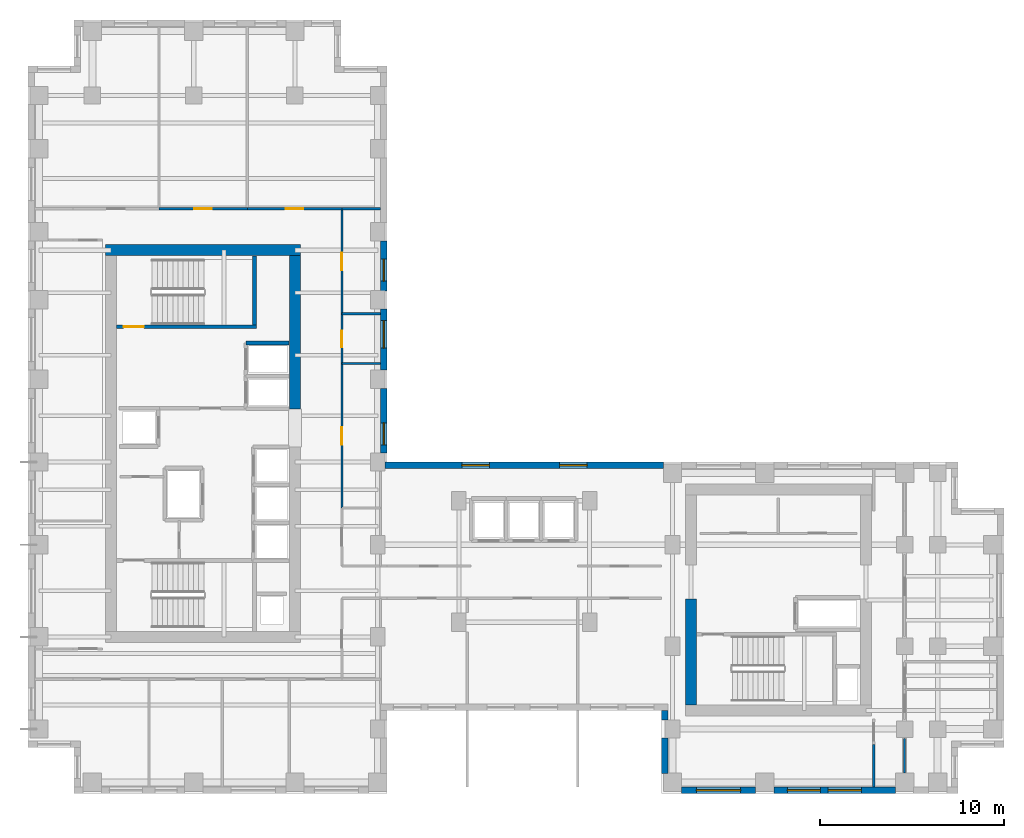
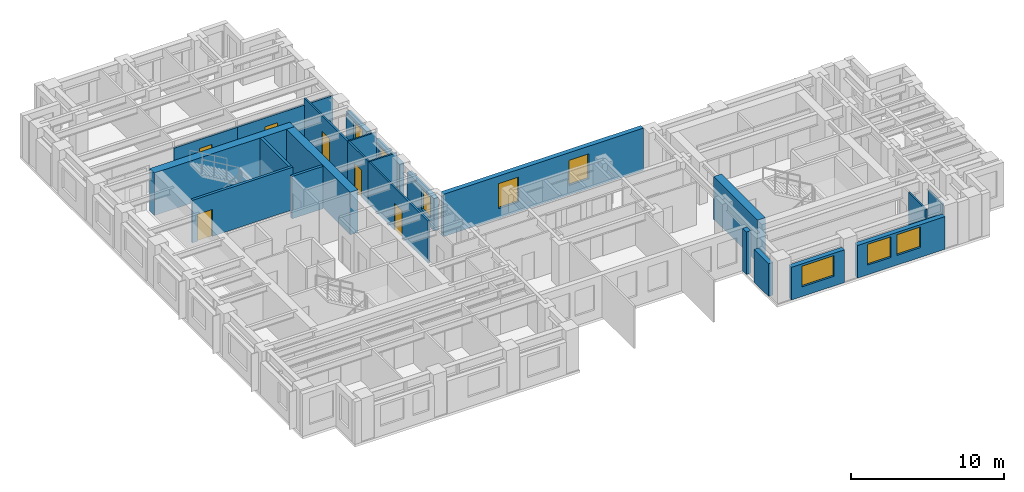
# One storey, part 6 of 11: 24 walls, 8 windows, 6 doors, 14 openings.
"""IFC4 building model written with IfcOpenShell, lengths in metres."""

from ifc_helpers import new_model, si_unit, direction, frame, frame_2d, origin, place, context, subcontext, project, spatial, rectangle, extrude, source, transform, mapped, material, layer, layer_set, type_object, element, fill, save


model = new_model("IFC4")

# Units and contexts
model_context = context("Model", 3, precision=1e-05, world=origin(), true_north=direction((0.0, 1.0)))
body_context = subcontext(model_context, "Body", "Model", "MODEL_VIEW")
ifc_project = project(units=[si_unit("LENGTHUNIT", "METRE"), si_unit("AREAUNIT", "SQUARE_METRE"), si_unit("VOLUMEUNIT", "CUBIC_METRE"), si_unit("PLANEANGLEUNIT", "RADIAN"), si_unit("MASSUNIT", "GRAM", prefix="KILO")], contexts=[model_context])

# Site, building, storey
site_placement = place(None, origin())
site = spatial("IfcSite", under=ifc_project, at=site_placement, CompositionType="ELEMENT")
building_placement = place(site_placement, origin())
building = spatial("IfcBuilding", under=site, at=building_placement, Name="Kharzan Plaza Tower", CompositionType="ELEMENT")
storey_placement = place(building_placement, frame((0.0, 0.0, 150.300048828125)))
storey = spatial("IfcBuildingStorey", under=building, at=storey_placement, Name="L40", CompositionType="ELEMENT", Elevation=150.300048828125)

# Wall, opening, window
ifc_material_1 = material(Name="Concrete C40/50", Category="concrete")
ifc_layer_1 = layer(ifc_material_1, 0.35009765625)
ifc_layer_set_1 = layer_set([ifc_layer_1], Name="Concrete C40/50")
wall_type_1 = type_object("IfcWallType", Name="WL-EXT-MAS-Z3", PredefinedType="SOLIDWALL", material=ifc_layer_set_1)
wall_1_placement = place(storey_placement, frame((35.498046875, 0.175048828125, 0.0), z_axis=(0.0, 0.0, 1.0), x_axis=(1.0, 0.0, 0.0)))
wall_1 = element("IfcWall", 1, at=wall_1_placement, inside=storey, type_object=wall_type_1, Name="L40 Masonry-Frame Exterior Wall 29", PredefinedType="SOLIDWALL", context=body_context, shape_type="SweptSolid", body=[
    extrude(rectangle(XDim=4.00390625, YDim=0.35009765625, at=frame_2d((2.001953125, 0.0))), origin(), (0.0, 0.0, 1.0), 2.612060546875),
])
opening_1_placement = place(wall_1_placement, frame((0.802001953125, 0.0, 0.780029296875)))
opening_1 = element("IfcOpeningElement", 2, at=opening_1_placement, cuts=wall_1, Name="Opening W2", PredefinedType="OPENING", context=body_context, shape_type="SweptSolid", body=[
    extrude(rectangle(XDim=2.39990234375, YDim=1.652099609375, at=frame_2d((1.199951171875, 0.826171875))), frame((0.0, 0.18505859375, 0.0), z_axis=(0.0, -1.0, 0.0), x_axis=(1.0, 0.0, 0.0)), (0.0, 0.0, 1.0), 0.3701171875),
])
ifc_material_2 = material(Name="Low-E Double Glazing", Category="glass")
window_type_1 = type_object("IfcWindowType", Name="WN-REC-2400x2100", PartitioningType="SINGLE_PANEL", PredefinedType="WINDOW", material=ifc_material_2)
shared_shape_1 = source(origin(), body_context, "Body", "SweptSolid", [
    extrude(rectangle(XDim=2.39990234375, YDim=1.652099609375, at=frame_2d((1.199951171875, 0.826171875))), frame((0.0, 0.030029296875, 0.0), z_axis=(0.0, -1.0, 0.0), x_axis=(1.0, 0.0, 0.0)), (0.0, 0.0, 1.0), 0.06005859375),
])
window_1_placement = place(opening_1_placement, origin())
window_1 = element("IfcWindow", 3, at=window_1_placement, inside=storey, type_object=window_type_1, Name="L40 Wide Recessed Solar-Control Window 29-1", OverallHeight=1.652099609375, OverallWidth=2.39990234375, PartitioningType="SINGLE_PANEL", PredefinedType="WINDOW", context=body_context, shape_type="MappedRepresentation", body=[
    mapped(shared_shape_1, transform((0.0, 0.0, 0.0), x_axis=(1.0, 0.0, 0.0), y_axis=(0.0, 1.0, 0.0), z_axis=(0.0, 0.0, 1.0))),
])
fill(opening_1, window_1)

# Wall, openings, windows
wall_2_placement = place(storey_placement, frame((40.498046875, 0.175048828125, 0.0), z_axis=(0.0, 0.0, 1.0), x_axis=(1.0, 0.0, 0.0)))
wall_2 = element("IfcWall", 4, at=wall_2_placement, inside=storey, type_object=wall_type_1, Name="L40 Masonry-Frame Exterior Wall 30", PredefinedType="SOLIDWALL", context=body_context, shape_type="SweptSolid", body=[
    extrude(rectangle(XDim=6.60400390625, YDim=0.35009765625, at=frame_2d((3.302001953125, 0.0))), origin(), (0.0, 0.0, 1.0), 2.612060546875),
])
opening_2_placement = place(wall_2_placement, frame((0.7373046875, 0.0, 0.780029296875)))
opening_2 = element("IfcOpeningElement", 5, at=opening_2_placement, cuts=wall_2, Name="Opening W1", PredefinedType="OPENING", context=body_context, shape_type="SweptSolid", body=[
    extrude(rectangle(XDim=1.800048828125, YDim=1.652099609375, at=frame_2d((0.89990234375, 0.826171875))), frame((0.0, 0.18505859375, 0.0), z_axis=(0.0, -1.0, 0.0), x_axis=(1.0, 0.0, 0.0)), (0.0, 0.0, 1.0), 0.3701171875),
])
opening_3_placement = place(wall_2_placement, frame((2.95458984375, 0.0, 0.780029296875)))
opening_3 = element("IfcOpeningElement", 6, at=opening_3_placement, cuts=wall_2, Name="Opening W1", PredefinedType="OPENING", context=body_context, shape_type="SweptSolid", body=[
    extrude(rectangle(XDim=1.800048828125, YDim=1.652099609375, at=frame_2d((0.89990234375, 0.826171875))), frame((0.0, 0.18505859375, 0.0), z_axis=(0.0, -1.0, 0.0), x_axis=(1.0, 0.0, 0.0)), (0.0, 0.0, 1.0), 0.3701171875),
])
window_type_2 = type_object("IfcWindowType", Name="WN-REC-1800x2100", PartitioningType="SINGLE_PANEL", PredefinedType="WINDOW", material=ifc_material_2)
shared_shape_2 = source(origin(), body_context, "Body", "SweptSolid", [
    extrude(rectangle(XDim=1.800048828125, YDim=1.652099609375, at=frame_2d((0.89990234375, 0.826171875))), frame((0.0, 0.030029296875, 0.0), z_axis=(0.0, -1.0, 0.0), x_axis=(1.0, 0.0, 0.0)), (0.0, 0.0, 1.0), 0.06005859375),
])
window_2_placement = place(opening_2_placement, origin())
window_2 = element("IfcWindow", 7, at=window_2_placement, inside=storey, type_object=window_type_2, Name="L40 Recessed Solar-Control Window 30-1", OverallHeight=1.652099609375, OverallWidth=1.800048828125, PartitioningType="SINGLE_PANEL", PredefinedType="WINDOW", context=body_context, shape_type="MappedRepresentation", body=[
    mapped(shared_shape_2, transform((0.0, 0.0, 0.0), x_axis=(1.0, 0.0, 0.0), y_axis=(0.0, 1.0, 0.0), z_axis=(0.0, 0.0, 1.0))),
])
fill(opening_2, window_2)
window_3_placement = place(opening_3_placement, origin())
window_3 = element("IfcWindow", 8, at=window_3_placement, inside=storey, type_object=window_type_2, Name="L40 Recessed Solar-Control Window 30-2", OverallHeight=1.652099609375, OverallWidth=1.800048828125, PartitioningType="SINGLE_PANEL", PredefinedType="WINDOW", context=body_context, shape_type="MappedRepresentation", body=[
    mapped(shared_shape_2, transform((0.0, 0.0, 0.0), x_axis=(1.0, 0.0, 0.0), y_axis=(0.0, 1.0, 0.0), z_axis=(0.0, 0.0, 1.0))),
])
fill(opening_3, window_3)

wall_3_placement = place(storey_placement, frame((34.501953125, 17.824951171875, 0.0), z_axis=(0.0, 0.0, 1.0), x_axis=(-1.0, 0.0, 0.0)))
wall_3 = element("IfcWall", 9, at=wall_3_placement, inside=storey, type_object=wall_type_1, Name="L40 Masonry-Frame Exterior Wall 44", PredefinedType="SOLIDWALL", context=body_context, shape_type="SweptSolid", body=[
    extrude(rectangle(XDim=15.10400390625, YDim=0.35009765625, at=frame_2d((7.552001953125, 0.0))), origin(), (0.0, 0.0, 1.0), 3.385009765625),
])
opening_4_placement = place(wall_3_placement, frame((4.131103515625, 0.0, 0.780029296875)))
opening_4 = element("IfcOpeningElement", 10, at=opening_4_placement, cuts=wall_3, Name="Opening W5", PredefinedType="OPENING", context=body_context, shape_type="SweptSolid", body=[
    extrude(rectangle(XDim=1.5, YDim=2.0, at=frame_2d((0.75, 1.0))), frame((0.0, 0.18505859375, 0.0), z_axis=(0.0, -1.0, 0.0), x_axis=(1.0, 0.0, 0.0)), (0.0, 0.0, 1.0), 0.3701171875),
])
opening_5_placement = place(wall_3_placement, frame((9.4423828125, 0.0, 0.780029296875)))
opening_5 = element("IfcOpeningElement", 11, at=opening_5_placement, cuts=wall_3, Name="Opening W5", PredefinedType="OPENING", context=body_context, shape_type="SweptSolid", body=[
    extrude(rectangle(XDim=1.5, YDim=2.0, at=frame_2d((0.75, 1.0))), frame((0.0, 0.18505859375, 0.0), z_axis=(0.0, -1.0, 0.0), x_axis=(1.0, 0.0, 0.0)), (0.0, 0.0, 1.0), 0.3701171875),
])
window_type_3 = type_object("IfcWindowType", Name="WN-SLT-1500x2000", PartitioningType="SINGLE_PANEL", PredefinedType="WINDOW", material=ifc_material_2)
shared_shape_3 = source(origin(), body_context, "Body", "SweptSolid", [
    extrude(rectangle(XDim=1.5, YDim=2.0, at=frame_2d((0.75, 1.0))), frame((0.0, 0.030029296875, 0.0), z_axis=(0.0, -1.0, 0.0), x_axis=(1.0, 0.0, 0.0)), (0.0, 0.0, 1.0), 0.06005859375),
])
window_4_placement = place(opening_4_placement, origin())
window_4 = element("IfcWindow", 12, at=window_4_placement, inside=storey, type_object=window_type_3, Name="L40 Recessed Solar-Control Window 44-1", OverallHeight=2.0, OverallWidth=1.5, PartitioningType="SINGLE_PANEL", PredefinedType="WINDOW", context=body_context, shape_type="MappedRepresentation", body=[
    mapped(shared_shape_3, transform((0.0, 0.0, 0.0), x_axis=(1.0, 0.0, 0.0), y_axis=(0.0, 1.0, 0.0), z_axis=(0.0, 0.0, 1.0))),
])
fill(opening_4, window_4)
window_5_placement = place(opening_5_placement, origin())
window_5 = element("IfcWindow", 13, at=window_5_placement, inside=storey, type_object=window_type_3, Name="L40 Recessed Solar-Control Window 44-2", OverallHeight=2.0, OverallWidth=1.5, PartitioningType="SINGLE_PANEL", PredefinedType="WINDOW", context=body_context, shape_type="MappedRepresentation", body=[
    mapped(shared_shape_3, transform((0.0, 0.0, 0.0), x_axis=(1.0, 0.0, 0.0), y_axis=(0.0, 1.0, 0.0), z_axis=(0.0, 0.0, 1.0))),
])
fill(opening_5, window_5)

# Wall, opening, window
wall_4_placement = place(storey_placement, frame((19.324951171875, 18.498046875, 0.0), z_axis=(0.0, 0.0, 1.0), x_axis=(0.0, 1.0, 0.0)))
wall_4 = element("IfcWall", 14, at=wall_4_placement, inside=storey, type_object=wall_type_1, Name="L40 Masonry-Frame Exterior Wall 45", PredefinedType="SOLIDWALL", context=body_context, shape_type="SweptSolid", body=[
    extrude(rectangle(XDim=3.50390625, YDim=0.35009765625, at=frame_2d((1.751953125, 0.0))), origin(), (0.0, 0.0, 1.0), 2.612060546875),
])
opening_6_placement = place(wall_4_placement, frame((0.4326171875, 0.0, 0.780029296875)))
opening_6 = element("IfcOpeningElement", 15, at=opening_6_placement, cuts=wall_4, Name="Opening W3", PredefinedType="OPENING", context=body_context, shape_type="SweptSolid", body=[
    extrude(rectangle(XDim=1.199951171875, YDim=1.652099609375, at=frame_2d((0.60009765625, 0.826171875))), frame((0.0, 0.18505859375, 0.0), z_axis=(0.0, -1.0, 0.0), x_axis=(1.0, 0.0, 0.0)), (0.0, 0.0, 1.0), 0.3701171875),
])
window_type_4 = type_object("IfcWindowType", Name="WN-REC-1200x2100", PartitioningType="SINGLE_PANEL", PredefinedType="WINDOW", material=ifc_material_2)
shared_shape_4 = source(origin(), body_context, "Body", "SweptSolid", [
    extrude(rectangle(XDim=1.199951171875, YDim=1.652099609375, at=frame_2d((0.60009765625, 0.826171875))), frame((0.0, 0.030029296875, 0.0), z_axis=(0.0, -1.0, 0.0), x_axis=(1.0, 0.0, 0.0)), (0.0, 0.0, 1.0), 0.06005859375),
])
window_6_placement = place(opening_6_placement, origin())
window_6 = element("IfcWindow", 16, at=window_6_placement, inside=storey, type_object=window_type_4, Name="L40 Recessed Solar-Control Window 45-1", OverallHeight=1.652099609375, OverallWidth=1.199951171875, PartitioningType="SINGLE_PANEL", PredefinedType="WINDOW", context=body_context, shape_type="MappedRepresentation", body=[
    mapped(shared_shape_4, transform((0.0, 0.0, 0.0), x_axis=(1.0, 0.0, 0.0), y_axis=(0.0, 1.0, 0.0), z_axis=(0.0, 0.0, 1.0))),
])
fill(opening_6, window_6)

wall_5_placement = place(storey_placement, frame((19.324951171875, 22.998046875, 0.0), z_axis=(0.0, 0.0, 1.0), x_axis=(0.0, 1.0, 0.0)))
wall_5 = element("IfcWall", 17, at=wall_5_placement, inside=storey, type_object=wall_type_1, Name="L40 Masonry-Frame Exterior Wall 46", PredefinedType="SOLIDWALL", context=body_context, shape_type="SweptSolid", body=[
    extrude(rectangle(XDim=3.303955078125, YDim=0.35009765625, at=frame_2d((1.65185546875, 0.0))), origin(), (0.0, 0.0, 1.0), 2.612060546875),
])
opening_7_placement = place(wall_5_placement, frame((1.180419921875, 0.0, 0.780029296875)))
opening_7 = element("IfcOpeningElement", 18, at=opening_7_placement, cuts=wall_5, Name="Opening W5", PredefinedType="OPENING", context=body_context, shape_type="SweptSolid", body=[
    extrude(rectangle(XDim=1.5, YDim=1.652099609375, at=frame_2d((0.75, 0.826171875))), frame((0.0, 0.18505859375, 0.0), z_axis=(0.0, -1.0, 0.0), x_axis=(1.0, 0.0, 0.0)), (0.0, 0.0, 1.0), 0.3701171875),
])
shared_shape_5 = source(origin(), body_context, "Body", "SweptSolid", [
    extrude(rectangle(XDim=1.5, YDim=1.652099609375, at=frame_2d((0.75, 0.826171875))), frame((0.0, 0.030029296875, 0.0), z_axis=(0.0, -1.0, 0.0), x_axis=(1.0, 0.0, 0.0)), (0.0, 0.0, 1.0), 0.06005859375),
])
window_7_placement = place(opening_7_placement, origin())
window_7 = element("IfcWindow", 19, at=window_7_placement, inside=storey, type_object=window_type_3, Name="L40 Recessed Solar-Control Window 46-1", OverallHeight=1.652099609375, OverallWidth=1.5, PartitioningType="SINGLE_PANEL", PredefinedType="WINDOW", context=body_context, shape_type="MappedRepresentation", body=[
    mapped(shared_shape_5, transform((0.0, 0.0, 0.0), x_axis=(1.0, 0.0, 0.0), y_axis=(0.0, 1.0, 0.0), z_axis=(0.0, 0.0, 1.0))),
])
fill(opening_7, window_7)

wall_6_placement = place(storey_placement, frame((19.324951171875, 27.298095703125, 0.0), z_axis=(0.0, 0.0, 1.0), x_axis=(0.0, 1.0, 0.0)))
wall_6 = element("IfcWall", 20, at=wall_6_placement, inside=storey, type_object=wall_type_1, Name="L40 Masonry-Frame Exterior Wall 47", PredefinedType="SOLIDWALL", context=body_context, shape_type="SweptSolid", body=[
    extrude(rectangle(XDim=2.703857421875, YDim=0.35009765625, at=frame_2d((1.35205078125, 0.0))), origin(), (0.0, 0.0, 1.0), 2.612060546875),
])
opening_8_placement = place(wall_6_placement, frame((0.523681640625, 0.0, 0.780029296875)))
opening_8 = element("IfcOpeningElement", 21, at=opening_8_placement, cuts=wall_6, Name="Opening W3", PredefinedType="OPENING", context=body_context, shape_type="SweptSolid", body=[
    extrude(rectangle(XDim=1.199951171875, YDim=1.652099609375, at=frame_2d((0.60009765625, 0.826171875))), frame((0.0, 0.18505859375, 0.0), z_axis=(0.0, -1.0, 0.0), x_axis=(1.0, 0.0, 0.0)), (0.0, 0.0, 1.0), 0.3701171875),
])
window_8_placement = place(opening_8_placement, origin())
window_8 = element("IfcWindow", 22, at=window_8_placement, inside=storey, type_object=window_type_4, Name="L40 Recessed Solar-Control Window 47-1", OverallHeight=1.652099609375, OverallWidth=1.199951171875, PartitioningType="SINGLE_PANEL", PredefinedType="WINDOW", context=body_context, shape_type="MappedRepresentation", body=[
    mapped(shared_shape_4, transform((0.0, 0.0, 0.0), x_axis=(1.0, 0.0, 0.0), y_axis=(0.0, 1.0, 0.0), z_axis=(0.0, 0.0, 1.0))),
])
fill(opening_8, window_8)

# Wall, opening, door
ifc_material_3 = material(Name="Fire-Rated Gypsum Board Partition", Category="gypsum")
ifc_layer_2 = layer(ifc_material_3, 0.125)
ifc_layer_set_2 = layer_set([ifc_layer_2], Name="Fire-Rated Gypsum Board Partition")
wall_type_2 = type_object("IfcWallType", Name="WL-INT-PART-125", PredefinedType="PARTITIONING", material=ifc_layer_set_2)
wall_7_placement = place(storey_placement, frame((17.050048828125, 15.5, 0.0), z_axis=(0.0, 0.0, 1.0), x_axis=(0.0, 1.0, 0.0)))
wall_7 = element("IfcWall", 23, at=wall_7_placement, inside=storey, type_object=wall_type_2, Name="L40 Interior Partition SH-AEWN2", PredefinedType="PARTITIONING", context=body_context, shape_type="SweptSolid", body=[
    extrude(rectangle(XDim=7.85009765625, YDim=0.125, at=frame_2d((3.925048828125, 0.0))), origin(), (0.0, 0.0, 1.0), 3.385009765625),
])
opening_9_placement = place(wall_7_placement, frame((3.449951171875, 0.0, 0.0)))
opening_9 = element("IfcOpeningElement", 24, at=opening_9_placement, cuts=wall_7, Name="Opening OD1", PredefinedType="OPENING", context=body_context, shape_type="SweptSolid", body=[
    extrude(rectangle(XDim=0.949951171875, YDim=2.14990234375, at=frame_2d((0.47509765625, 1.074951171875))), frame((0.0, 0.072509765625, 0.0), z_axis=(0.0, -1.0, 0.0), x_axis=(1.0, 0.0, 0.0)), (0.0, 0.0, 1.0), 0.14501953125),
])
ifc_material_4 = material(Name="Acoustic Solid-Core Stained Oak", Category="timber")
door_type_1 = type_object("IfcDoorType", Name="DR-OFF-SINGLE", OperationType="NOTDEFINED", PredefinedType="DOOR", material=ifc_material_4)
shared_shape_6 = source(origin(), body_context, "Body", "SweptSolid", [
    extrude(rectangle(XDim=0.949951171875, YDim=2.14990234375, at=frame_2d((0.47509765625, 1.074951171875))), frame((0.0, 0.02490234375, 0.0), z_axis=(0.0, -1.0, 0.0), x_axis=(1.0, 0.0, 0.0)), (0.0, 0.0, 1.0), 0.050048828125),
])
door_1_placement = place(opening_9_placement, origin())
door_1 = element("IfcDoor", 25, at=door_1_placement, inside=storey, type_object=door_type_1, Name="L40 Slot Studio Door", OperationType="SINGLE_SWING_LEFT", OverallHeight=2.14990234375, OverallWidth=0.949951171875, PredefinedType="DOOR", context=body_context, shape_type="MappedRepresentation", body=[
    mapped(shared_shape_6, transform((0.0, 0.0, 0.0), x_axis=(1.0, 0.0, 0.0), y_axis=(0.0, 1.0, 0.0), z_axis=(0.0, 0.0, 1.0))),
])
fill(opening_9, door_1)

wall_8_placement = place(storey_placement, frame((17.050048828125, 26.050048828125, 0.0), z_axis=(0.0, 0.0, 1.0), x_axis=(0.0, 1.0, 0.0)))
wall_8 = element("IfcWall", 26, at=wall_8_placement, inside=storey, type_object=wall_type_2, Name="L40 Interior Partition SH-AEWN3", PredefinedType="PARTITIONING", context=body_context, shape_type="SweptSolid", body=[
    extrude(rectangle(XDim=5.699951171875, YDim=0.125, at=frame_2d((2.85009765625, 0.0))), origin(), (0.0, 0.0, 1.0), 3.385009765625),
])
opening_10_placement = place(wall_8_placement, frame((2.375, 0.0, 0.0)))
opening_10 = element("IfcOpeningElement", 27, at=opening_10_placement, cuts=wall_8, Name="Opening OD1", PredefinedType="OPENING", context=body_context, shape_type="SweptSolid", body=[
    extrude(rectangle(XDim=0.949951171875, YDim=2.14990234375, at=frame_2d((0.47509765625, 1.074951171875))), frame((0.0, 0.072509765625, 0.0), z_axis=(0.0, -1.0, 0.0), x_axis=(1.0, 0.0, 0.0)), (0.0, 0.0, 1.0), 0.14501953125),
])
door_2_placement = place(opening_10_placement, origin())
door_2 = element("IfcDoor", 28, at=door_2_placement, inside=storey, type_object=door_type_1, Name="L40 Staff Tea Point Door", OperationType="SINGLE_SWING_LEFT", OverallHeight=2.14990234375, OverallWidth=0.949951171875, PredefinedType="DOOR", context=body_context, shape_type="MappedRepresentation", body=[
    mapped(shared_shape_6, transform((0.0, 0.0, 0.0), x_axis=(1.0, 0.0, 0.0), y_axis=(0.0, 1.0, 0.0), z_axis=(0.0, 0.0, 1.0))),
])
fill(opening_10, door_2)

wall_9_placement = place(storey_placement, frame((17.050048828125, 23.35009765625, 0.0), z_axis=(0.0, 0.0, 1.0), x_axis=(0.0, 1.0, 0.0)))
wall_9 = element("IfcWall", 29, at=wall_9_placement, inside=storey, type_object=wall_type_2, Name="L40 Interior Partition SH-AEWW", PredefinedType="PARTITIONING", context=body_context, shape_type="SweptSolid", body=[
    extrude(rectangle(XDim=2.699951171875, YDim=0.125, at=frame_2d((1.35009765625, 0.0))), origin(), (0.0, 0.0, 1.0), 3.385009765625),
])
opening_11_placement = place(wall_9_placement, frame((0.875, 0.0, 0.0)))
opening_11 = element("IfcOpeningElement", 30, at=opening_11_placement, cuts=wall_9, Name="Opening WD1", PredefinedType="OPENING", context=body_context, shape_type="SweptSolid", body=[
    extrude(rectangle(XDim=0.89990234375, YDim=2.14990234375, at=frame_2d((0.449951171875, 1.074951171875))), frame((0.0, 0.072509765625, 0.0), z_axis=(0.0, -1.0, 0.0), x_axis=(1.0, 0.0, 0.0)), (0.0, 0.0, 1.0), 0.14501953125),
])
ifc_material_5 = material(Name="Moisture-Resistant Fire-Rated Laminate", Category="timber")
door_type_2 = type_object("IfcDoorType", Name="DR-WC-900", OperationType="NOTDEFINED", PredefinedType="DOOR", material=ifc_material_5)
shared_shape_7 = source(origin(), body_context, "Body", "SweptSolid", [
    extrude(rectangle(XDim=0.89990234375, YDim=2.14990234375, at=frame_2d((0.449951171875, 1.074951171875))), frame((0.0, 0.02490234375, 0.0), z_axis=(0.0, -1.0, 0.0), x_axis=(1.0, 0.0, 0.0)), (0.0, 0.0, 1.0), 0.050048828125),
])
door_3_placement = place(opening_11_placement, origin())
door_3 = element("IfcDoor", 31, at=door_3_placement, inside=storey, type_object=door_type_2, Name="L40 Wing A Washroom Door", OperationType="SINGLE_SWING_RIGHT", OverallHeight=2.14990234375, OverallWidth=0.89990234375, PredefinedType="DOOR", context=body_context, shape_type="MappedRepresentation", body=[
    mapped(shared_shape_7, transform((0.0, 0.0, 0.0), x_axis=(1.0, 0.0, 0.0), y_axis=(0.0, 1.0, 0.0), z_axis=(0.0, 0.0, 1.0))),
])
fill(opening_11, door_3)

wall_10_placement = place(storey_placement, frame((7.12109375, 31.75, 0.0), z_axis=(0.0, 0.0, 1.0), x_axis=(1.0, 0.0, 0.0)))
wall_10 = element("IfcWall", 32, at=wall_10_placement, inside=storey, type_object=wall_type_2, Name="L40 Interior Partition SH-NN-2", PredefinedType="PARTITIONING", context=body_context, shape_type="SweptSolid", body=[
    extrude(rectangle(XDim=4.794921875, YDim=0.125, at=frame_2d((2.3974609375, 0.0))), origin(), (0.0, 0.0, 1.0), 2.847900390625),
])
opening_12_placement = place(wall_10_placement, frame((1.922607421875, 0.0, 0.0)))
opening_12 = element("IfcOpeningElement", 33, at=opening_12_placement, cuts=wall_10, Name="Opening OD1", PredefinedType="OPENING", context=body_context, shape_type="SweptSolid", body=[
    extrude(rectangle(XDim=0.949951171875, YDim=2.14990234375, at=frame_2d((0.47509765625, 1.074951171875))), frame((0.0, 0.072509765625, 0.0), z_axis=(0.0, -1.0, 0.0), x_axis=(1.0, 0.0, 0.0)), (0.0, 0.0, 1.0), 0.14501953125),
])
door_4_placement = place(opening_12_placement, origin())
door_4 = element("IfcDoor", 34, at=door_4_placement, inside=storey, type_object=door_type_1, Name="L40 Cartography Drafting Studio Door", OperationType="SINGLE_SWING_LEFT", OverallHeight=2.14990234375, OverallWidth=0.949951171875, PredefinedType="DOOR", context=body_context, shape_type="MappedRepresentation", body=[
    mapped(shared_shape_6, transform((0.0, 0.0, 0.0), x_axis=(1.0, 0.0, 0.0), y_axis=(0.0, 1.0, 0.0), z_axis=(0.0, 0.0, 1.0))),
])
fill(opening_12, door_4)

wall_11_placement = place(storey_placement, frame((11.916015625, 31.75, 0.0), z_axis=(0.0, 0.0, 1.0), x_axis=(1.0, 0.0, 0.0)))
wall_11 = element("IfcWall", 35, at=wall_11_placement, inside=storey, type_object=wall_type_2, Name="L40 Interior Partition SH-NN-3", PredefinedType="PARTITIONING", context=body_context, shape_type="SweptSolid", body=[
    extrude(rectangle(XDim=5.134033203125, YDim=0.125, at=frame_2d((2.56689453125, 0.0))), origin(), (0.0, 0.0, 1.0), 2.847900390625),
])
opening_13_placement = place(wall_11_placement, frame((2.092041015625, 0.0, 0.0)))
opening_13 = element("IfcOpeningElement", 36, at=opening_13_placement, cuts=wall_11, Name="Opening OD1", PredefinedType="OPENING", context=body_context, shape_type="SweptSolid", body=[
    extrude(rectangle(XDim=0.949951171875, YDim=2.14990234375, at=frame_2d((0.47509765625, 1.074951171875))), frame((0.0, 0.072509765625, 0.0), z_axis=(0.0, -1.0, 0.0), x_axis=(1.0, 0.0, 0.0)), (0.0, 0.0, 1.0), 0.14501953125),
])
door_5_placement = place(opening_13_placement, origin())
door_5 = element("IfcDoor", 37, at=door_5_placement, inside=storey, type_object=door_type_1, Name="L40 Project Controls Office Door", OperationType="SINGLE_SWING_RIGHT", OverallHeight=2.14990234375, OverallWidth=0.949951171875, PredefinedType="DOOR", context=body_context, shape_type="MappedRepresentation", body=[
    mapped(shared_shape_6, transform((0.0, 0.0, 0.0), x_axis=(1.0, 0.0, 0.0), y_axis=(0.0, 1.0, 0.0), z_axis=(0.0, 0.0, 1.0))),
])
fill(opening_13, door_5)

ifc_material_6 = material(Name="Concrete C50/60", Category="concrete")
ifc_layer_3 = layer(ifc_material_6, 0.199951171875)
ifc_layer_set_3 = layer_set([ifc_layer_3], Name="Concrete C50/60")
wall_type_3 = type_object("IfcWallType", Name="WL-SHAFT-RC200", PredefinedType="SHEAR", material=ifc_layer_set_3)
wall_12_placement = place(storey_placement, frame((4.802001953125, 25.344970703125, 0.0), z_axis=(0.0, 0.0, 1.0), x_axis=(1.0, 0.0, 0.0)))
wall_12 = element("IfcWall", 38, at=wall_12_placement, inside=storey, type_object=wall_type_3, Name="L40 Stair ST-2 South RC Shaft Wall", PredefinedType="SHEAR", context=body_context, shape_type="SweptSolid", body=[
    extrude(rectangle(XDim=7.60302734375, YDim=0.199951171875, at=frame_2d((3.801513671875, 0.0))), origin(), (0.0, 0.0, 1.0), 3.39990234375),
])
opening_14_placement = place(wall_12_placement, frame((0.39990234375, 0.0, 0.0)))
opening_14 = element("IfcOpeningElement", 39, at=opening_14_placement, cuts=wall_12, Name="Opening SD1", PredefinedType="OPENING", context=body_context, shape_type="SweptSolid", body=[
    extrude(rectangle(XDim=1.10009765625, YDim=2.14990234375, at=frame_2d((0.550048828125, 1.074951171875))), frame((0.0, 0.10986328125, 0.0), z_axis=(0.0, -1.0, 0.0), x_axis=(1.0, 0.0, 0.0)), (0.0, 0.0, 1.0), 0.219970703125),
])
ifc_material_7 = material(Name="Fire-Rated Hollow Galvanized Steel", Category="steel")
door_type_3 = type_object("IfcDoorType", Name="DR-STAIR-FD120", OperationType="NOTDEFINED", PredefinedType="DOOR", material=ifc_material_7)
shared_shape_8 = source(origin(), body_context, "Body", "SweptSolid", [
    extrude(rectangle(XDim=1.10009765625, YDim=2.14990234375, at=frame_2d((0.550048828125, 1.074951171875))), frame((0.0, 0.02490234375, 0.0), z_axis=(0.0, -1.0, 0.0), x_axis=(1.0, 0.0, 0.0)), (0.0, 0.0, 1.0), 0.050048828125),
])
door_6_placement = place(opening_14_placement, origin())
door_6 = element("IfcDoor", 40, at=door_6_placement, inside=storey, type_object=door_type_3, Name="L40 Stair ST-2 Fire Exit Door", OperationType="SINGLE_SWING_LEFT", OverallHeight=2.14990234375, OverallWidth=1.10009765625, PredefinedType="DOOR", context=body_context, shape_type="MappedRepresentation", body=[
    mapped(shared_shape_8, transform((0.0, 0.0, 0.0), x_axis=(1.0, 0.0, 0.0), y_axis=(0.0, 1.0, 0.0), z_axis=(0.0, 0.0, 1.0))),
])
fill(opening_14, door_6)

# Walls
ifc_layer_4 = layer(ifc_material_6, 0.60009765625)
ifc_layer_set_4 = layer_set([ifc_layer_4], Name="Concrete C50/60")
wall_type_4 = type_object("IfcWallType", Name="WL-CORE-600", PredefinedType="SHEAR", material=ifc_layer_set_4)
shared_shape_9 = source(origin(), body_context, "Body", "SweptSolid", [
    extrude(rectangle(XDim=8.320068359375, YDim=0.60009765625, at=frame_2d((4.16015625, 0.0))), origin(), (0.0, 0.0, 1.0), 3.39990234375),
])
wall_13_placement = place(storey_placement, frame((14.5, 20.8798828125, 0.0), z_axis=(0.0, 0.0, 1.0), x_axis=(0.0, 1.0, 0.0)))
element("IfcWall", 41, at=wall_13_placement, inside=storey, type_object=wall_type_4, Name="L40 CORE-A east shear pier 2", PredefinedType="SHEAR", context=body_context, shape_type="MappedRepresentation", body=[
    mapped(shared_shape_9, transform((0.0, 0.0, 0.0), x_axis=(1.0, 0.0, 0.0), y_axis=(0.0, 1.0, 0.0), z_axis=(0.0, 0.0, 1.0))),
])
shared_shape_10 = source(origin(), body_context, "Body", "SweptSolid", [
    extrude(rectangle(XDim=10.60009765625, YDim=0.60009765625, at=frame_2d((5.300048828125, 0.0))), origin(), (0.0, 0.0, 1.0), 3.39990234375),
])
wall_14_placement = place(storey_placement, frame((4.199951171875, 29.5, 0.0), z_axis=(0.0, 0.0, 1.0), x_axis=(1.0, 0.0, 0.0)))
element("IfcWall", 42, at=wall_14_placement, inside=storey, type_object=wall_type_4, Name="L40 CORE-A north RC shear wall", PredefinedType="SHEAR", context=body_context, shape_type="MappedRepresentation", body=[
    mapped(shared_shape_10, transform((0.0, 0.0, 0.0), x_axis=(1.0, 0.0, 0.0), y_axis=(0.0, 1.0, 0.0), z_axis=(0.0, 0.0, 1.0))),
])
shared_shape_11 = source(origin(), body_context, "Body", "SweptSolid", [
    extrude(rectangle(XDim=5.75, YDim=0.60009765625, at=frame_2d((2.875, 0.0))), origin(), (0.0, 0.0, 1.0), 3.39990234375),
])
wall_15_placement = place(storey_placement, frame((36.0, 4.800048828125, 0.0), z_axis=(0.0, 0.0, 1.0), x_axis=(0.0, 1.0, 0.0)))
element("IfcWall", 43, at=wall_15_placement, inside=storey, type_object=wall_type_4, Name="L40 CORE-B west shear pier 1", PredefinedType="SHEAR", context=body_context, shape_type="MappedRepresentation", body=[
    mapped(shared_shape_11, transform((0.0, 0.0, 0.0), x_axis=(1.0, 0.0, 0.0), y_axis=(0.0, 1.0, 0.0), z_axis=(0.0, 0.0, 1.0))),
])
shared_shape_12 = source(origin(), body_context, "Body", "SweptSolid", [
    extrude(rectangle(XDim=0.50390625, YDim=0.35009765625, at=frame_2d((0.251953125, 0.0))), origin(), (0.0, 0.0, 1.0), 3.385009765625),
])
wall_16_placement = place(storey_placement, frame((34.574951171875, 4.501953125, 0.0), z_axis=(0.0, 0.0, 1.0), x_axis=(0.0, -1.0, 0.0)))
element("IfcWall", 44, at=wall_16_placement, inside=storey, type_object=wall_type_1, Name="L40 Masonry-Frame Exterior Wall 27", PredefinedType="SOLIDWALL", context=body_context, shape_type="MappedRepresentation", body=[
    mapped(shared_shape_12, transform((0.0, 0.0, 0.0), x_axis=(1.0, 0.0, 0.0), y_axis=(0.0, 1.0, 0.0), z_axis=(0.0, 0.0, 1.0))),
])
shared_shape_13 = source(origin(), body_context, "Body", "SweptSolid", [
    extrude(rectangle(XDim=2.097900390625, YDim=0.125, at=frame_2d((1.048828125, 0.0))), origin(), (0.0, 0.0, 1.0), 3.385009765625),
])
for number, where, z_axis, x_axis, name in (
    (45, (17.050048828125, 23.35009765625, 0.0), (0.0, 0.0, 1.0), (1.0, 0.0, 0.0), "L40 Interior Partition SH-AEH-233"),
    (46, (17.050048828125, 26.050048828125, 0.0), (0.0, 0.0, 1.0), (1.0, 0.0, 0.0), "L40 Interior Partition SH-AEH-260"),
):
    element("IfcWall", number, at=place(storey_placement, frame(where, z_axis=z_axis, x_axis=x_axis)), inside=storey, type_object=wall_type_2, Name=name, PredefinedType="PARTITIONING", context=body_context, shape_type="MappedRepresentation", body=[
        mapped(shared_shape_13, transform((0.0, 0.0, 0.0), x_axis=(1.0, 0.0, 0.0), y_axis=(0.0, 1.0, 0.0), z_axis=(0.0, 0.0, 1.0))),
    ])
shared_shape_14 = source(origin(), body_context, "Body", "SweptSolid", [
    extrude(rectangle(XDim=2.2978515625, YDim=0.125, at=frame_2d((1.14892578125, 0.0))), origin(), (0.0, 0.0, 1.0), 3.385009765625),
])
wall_17_placement = place(storey_placement, frame((45.919921875, 0.35205078125, 0.0), z_axis=(0.0, 0.0, 1.0), x_axis=(0.0, 1.0, 0.0)))
element("IfcWall", 47, at=wall_17_placement, inside=storey, type_object=wall_type_2, Name="L40 Interior Partition SH-RBSE0", PredefinedType="PARTITIONING", context=body_context, shape_type="MappedRepresentation", body=[
    mapped(shared_shape_14, transform((0.0, 0.0, 0.0), x_axis=(1.0, 0.0, 0.0), y_axis=(0.0, 1.0, 0.0), z_axis=(0.0, 0.0, 1.0))),
])
shared_shape_15 = source(origin(), body_context, "Body", "SweptSolid", [
    extrude(rectangle(XDim=2.097900390625, YDim=0.125, at=frame_2d((1.048828125, 0.0))), origin(), (0.0, 0.0, 1.0), 2.847900390625),
])
wall_18_placement = place(storey_placement, frame((17.050048828125, 31.75, 0.0), z_axis=(0.0, 0.0, 1.0), x_axis=(1.0, 0.0, 0.0)))
element("IfcWall", 48, at=wall_18_placement, inside=storey, type_object=wall_type_2, Name="L40 Interior Partition SH-NNE0", PredefinedType="PARTITIONING", context=body_context, shape_type="MappedRepresentation", body=[
    mapped(shared_shape_15, transform((0.0, 0.0, 0.0), x_axis=(1.0, 0.0, 0.0), y_axis=(0.0, 1.0, 0.0), z_axis=(0.0, 0.0, 1.0))),
])
ifc_layer_5 = layer(ifc_material_1, 0.199951171875)
ifc_layer_set_5 = layer_set([ifc_layer_5], Name="Concrete C40/50")
wall_type_5 = type_object("IfcWallType", Name="WL-INT-SHAFT-200", PredefinedType="PARTITIONING", material=ifc_layer_set_5)
shared_shape_16 = source(origin(), body_context, "Body", "SweptSolid", [
    extrude(rectangle(XDim=2.33984375, YDim=0.199951171875, at=frame_2d((1.169921875, 0.0))), origin(), (0.0, 0.0, 1.0), 3.385009765625),
])
wall_19_placement = place(storey_placement, frame((11.830078125, 24.4599609375, 0.0), z_axis=(0.0, 0.0, 1.0), x_axis=(1.0, 0.0, 0.0)))
element("IfcWall", 49, at=wall_19_placement, inside=storey, type_object=wall_type_5, Name="L40 Interior Partition SHF-FFL-2-N", PredefinedType="PARTITIONING", context=body_context, shape_type="MappedRepresentation", body=[
    mapped(shared_shape_16, transform((0.0, 0.0, 0.0), x_axis=(1.0, 0.0, 0.0), y_axis=(0.0, 1.0, 0.0), z_axis=(0.0, 0.0, 1.0))),
])
shared_shape_17 = source(origin(), body_context, "Body", "SweptSolid", [
    extrude(rectangle(XDim=3.7529296875, YDim=0.199951171875, at=frame_2d((1.87646484375, 0.0))), origin(), (0.0, 0.0, 1.0), 3.39990234375),
])
wall_20_placement = place(storey_placement, frame((12.304931640625, 25.445068359375, 0.0), z_axis=(0.0, 0.0, 1.0), x_axis=(0.0, 1.0, 0.0)))
element("IfcWall", 50, at=wall_20_placement, inside=storey, type_object=wall_type_3, Name="L40 Stair ST-2 East RC Shaft Wall", PredefinedType="SHEAR", context=body_context, shape_type="MappedRepresentation", body=[
    mapped(shared_shape_17, transform((0.0, 0.0, 0.0), x_axis=(1.0, 0.0, 0.0), y_axis=(0.0, 1.0, 0.0), z_axis=(0.0, 0.0, 1.0))),
])
shared_shape_18 = source(origin(), body_context, "Body", "SweptSolid", [
    extrude(rectangle(XDim=1.904052734375, YDim=0.35009765625, at=frame_2d((0.9521484375, 0.0))), origin(), (0.0, 0.0, 1.0), 2.612060546875),
])
wall_21_placement = place(storey_placement, frame((34.574951171875, 3.001953125, 0.0), z_axis=(0.0, 0.0, 1.0), x_axis=(0.0, -1.0, 0.0)))
element("IfcWall", 51, at=wall_21_placement, inside=storey, type_object=wall_type_1, Name="L40 Masonry-Frame Exterior Wall 28", PredefinedType="SOLIDWALL", context=body_context, shape_type="MappedRepresentation", body=[
    mapped(shared_shape_18, transform((0.0, 0.0, 0.0), x_axis=(1.0, 0.0, 0.0), y_axis=(0.0, 1.0, 0.0), z_axis=(0.0, 0.0, 1.0))),
])
shared_shape_19 = source(origin(), body_context, "Body", "SweptSolid", [
    extrude(rectangle(XDim=1.85986328125, YDim=0.125, at=frame_2d((0.929931640625, 0.0))), origin(), (0.0, 0.0, 1.0), 2.77294921875),
])
wall_22_placement = place(storey_placement, frame((47.60009765625, 1.1201171875, 0.0), z_axis=(0.0, 0.0, 1.0), x_axis=(0.0, 1.0, 0.0)))
element("IfcWall", 52, at=wall_22_placement, inside=storey, type_object=wall_type_2, Name="L40 Interior Partition SH-B0W0S", PredefinedType="PARTITIONING", context=body_context, shape_type="MappedRepresentation", body=[
    mapped(shared_shape_19, transform((0.0, 0.0, 0.0), x_axis=(1.0, 0.0, 0.0), y_axis=(0.0, 1.0, 0.0), z_axis=(0.0, 0.0, 1.0))),
])

save(model, "model.ifc")
